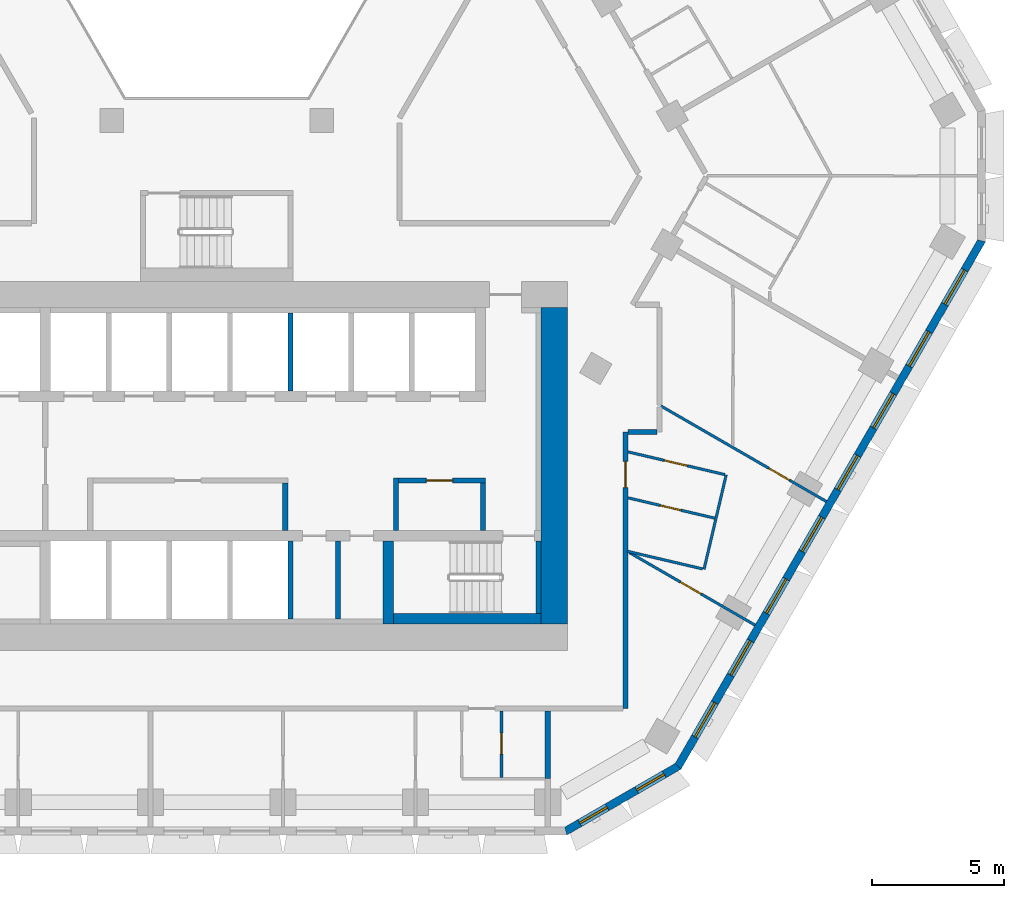
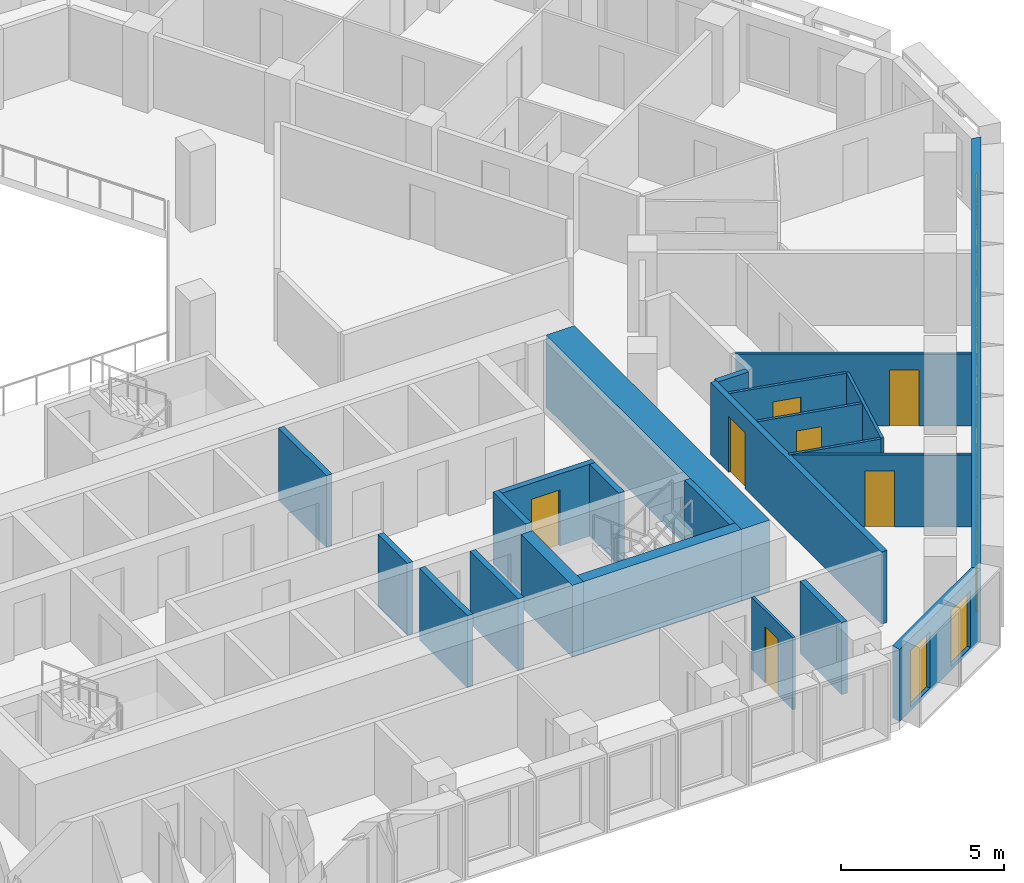
# One storey, part 6 of 18: 23 walls, 10 windows, 7 doors, 17 openings.
"""IFC4 building model written with IfcOpenShell, lengths in metres."""

from ifc_helpers import new_model, si_unit, direction, frame, frame_2d, origin, place, context, subcontext, project, spatial, polyline, rectangle, outline, extrude, material, layer, layer_set, type_object, element, fill, save


model = new_model("IFC4")

# Units and contexts
model_context = context("Model", 3, precision=1e-05, world=origin(), true_north=direction((0.0, 1.0)))
body_context = subcontext(model_context, "Body", "Model", "MODEL_VIEW")
ifc_project = project(units=[si_unit("LENGTHUNIT", "METRE"), si_unit("AREAUNIT", "SQUARE_METRE"), si_unit("VOLUMEUNIT", "CUBIC_METRE"), si_unit("PLANEANGLEUNIT", "RADIAN"), si_unit("MASSUNIT", "GRAM", prefix="KILO")], contexts=[model_context])

# Site, building, storey
site_placement = place(None, origin())
site = spatial("IfcSite", under=ifc_project, at=site_placement, CompositionType="ELEMENT")
building_placement = place(site_placement, origin())
building = spatial("IfcBuilding", under=site, at=building_placement, Name="Beryl Residences", CompositionType="ELEMENT")
storey_placement = place(building_placement, frame((0.0, 0.0, 87.0)))
storey = spatial("IfcBuildingStorey", under=building, at=storey_placement, Name="L26", CompositionType="ELEMENT", Elevation=87.0)

# Wall, openings, windows
ifc_material_1 = material(Name="Composite metal panel with mineral wool insulation")
ifc_layer_1 = layer(ifc_material_1, 0.300048828125)
ifc_layer_set_1 = layer_set([ifc_layer_1], Name="ES1 pale metal composite panel wall 300 mm")
wall_type_1 = type_object("IfcWallType", Name="ES1 pale metal composite panel wall 300 mm", PredefinedType="SOLIDWALL", material=ifc_layer_set_1)
wall_1_placement = place(storey_placement, frame((13.2041015625, -25.8701171875, 0.0), z_axis=(0.0, 0.0, 1.0), x_axis=(0.866010750942, 0.50002537861, 0.0)))
wall_1 = element("IfcWall", 1, at=wall_1_placement, inside=storey, type_object=wall_type_1, Name="ES1 external wall L26 S-SE", PredefinedType="SOLIDWALL", context=body_context, shape_type="SweptSolid", body=[
    extrude(outline(polyline([(0.0, -0.14990234375), (4.999755859375, -0.14990234375), (4.91943359375, 0.14990234375), (0.080322265625, 0.14990234375), (0.0, -0.14990234375)])), origin(), (0.0, 0.0, 1.0), 2.699951171875),
])
opening_1_placement = place(wall_1_placement, frame((0.64990234375, 0.0, 0.14990234375)))
opening_1 = element("IfcOpeningElement", 2, at=opening_1_placement, cuts=wall_1, Name="Opening W2", PredefinedType="OPENING", context=body_context, shape_type="SweptSolid", body=[
    extrude(rectangle(XDim=1.199951171875, YDim=2.10009765625, at=frame_2d((0.60009765625, 1.050048828125))), frame((0.0, 0.159912109375, 0.0), z_axis=(0.0, -1.0, 0.0), x_axis=(1.0, 0.0, 0.0)), (0.0, 0.0, 1.0), 0.320068359375),
])
opening_2_placement = place(wall_1_placement, frame((3.14892578125, 0.0, 0.14990234375)))
opening_2 = element("IfcOpeningElement", 3, at=opening_2_placement, cuts=wall_1, Name="Opening W2", PredefinedType="OPENING", context=body_context, shape_type="SweptSolid", body=[
    extrude(rectangle(XDim=1.199951171875, YDim=2.10009765625, at=frame_2d((0.60009765625, 1.050048828125))), frame((0.0, 0.159912109375, 0.0), z_axis=(0.0, -1.0, 0.0), x_axis=(1.0, 0.0, 0.0)), (0.0, 0.0, 1.0), 0.320068359375),
])
ifc_material_2 = material(Name="Aluminium and clear glass", Category="aluminium")
window_type_1 = type_object("IfcWindowType", Name="W2 chamfer window 1200 x 2100 mm", PartitioningType="SINGLE_PANEL", PredefinedType="WINDOW", material=ifc_material_2)
window_1_placement = place(opening_1_placement, origin())
window_1 = element("IfcWindow", 4, at=window_1_placement, inside=storey, type_object=window_type_1, Name="W2 window L26 S-SE 1", OverallHeight=2.10009765625, OverallWidth=1.199951171875, PartitioningType="SINGLE_PANEL", PredefinedType="WINDOW", context=body_context, shape_type="SweptSolid", body=[
    extrude(rectangle(XDim=1.199951171875, YDim=2.10009765625, at=frame_2d((0.60009765625, 1.050048828125))), frame((0.0, 0.030029296875, 0.0), z_axis=(0.0, -1.0, 0.0), x_axis=(1.0, 0.0, 0.0)), (0.0, 0.0, 1.0), 0.06005859375),
])
fill(opening_1, window_1)
window_2_placement = place(opening_2_placement, origin())
window_2 = element("IfcWindow", 5, at=window_2_placement, inside=storey, type_object=window_type_1, Name="W2 window L26 S-SE 2", OverallHeight=2.10009765625, OverallWidth=1.199951171875, PartitioningType="SINGLE_PANEL", PredefinedType="WINDOW", context=body_context, shape_type="SweptSolid", body=[
    extrude(rectangle(XDim=1.199951171875, YDim=2.10009765625, at=frame_2d((0.60009765625, 1.050048828125))), frame((0.0, 0.030029296875, 0.0), z_axis=(0.0, -1.0, 0.0), x_axis=(1.0, 0.0, 0.0)), (0.0, 0.0, 1.0), 0.06005859375),
])
fill(opening_2, window_2)

wall_2_placement = place(storey_placement, frame((17.47900390625, -23.425048828125, 0.0), z_axis=(0.0, 0.0, 1.0), x_axis=(0.500035407905, 0.866004960056, 0.0)))
wall_2 = element("IfcWall", 6, at=wall_2_placement, inside=storey, type_object=wall_type_1, Name="ES1 external wall L26 SE", PredefinedType="SOLIDWALL", context=body_context, shape_type="SweptSolid", body=[
    extrude(outline(polyline([(0.0, -0.14990234375), (23.094482421875, -0.14990234375), (23.01416015625, 0.14990234375), (0.080322265625, 0.14990234375), (0.0, -0.14990234375)])), origin(), (0.0, 0.0, 1.0), 2.699951171875),
])
opening_3_placement = place(wall_2_placement, frame((1.323974609375, 0.0, 0.14990234375)))
opening_3 = element("IfcOpeningElement", 7, at=opening_3_placement, cuts=wall_2, Name="Opening W1", PredefinedType="OPENING", context=body_context, shape_type="SweptSolid", body=[
    extrude(rectangle(XDim=1.5, YDim=2.10009765625, at=frame_2d((0.75, 1.050048828125))), frame((0.0, 0.159912109375, 0.0), z_axis=(0.0, -1.0, 0.0), x_axis=(1.0, 0.0, 0.0)), (0.0, 0.0, 1.0), 0.320068359375),
])
opening_4_placement = place(wall_2_placement, frame((4.031005859375, 0.0, 0.14990234375)))
opening_4 = element("IfcOpeningElement", 8, at=opening_4_placement, cuts=wall_2, Name="Opening W1", PredefinedType="OPENING", context=body_context, shape_type="SweptSolid", body=[
    extrude(rectangle(XDim=1.5, YDim=2.10009765625, at=frame_2d((0.75, 1.050048828125))), frame((0.0, 0.159912109375, 0.0), z_axis=(0.0, -1.0, 0.0), x_axis=(1.0, 0.0, 0.0)), (0.0, 0.0, 1.0), 0.320068359375),
])
opening_5_placement = place(wall_2_placement, frame((6.737060546875, 0.0, 0.14990234375)))
opening_5 = element("IfcOpeningElement", 9, at=opening_5_placement, cuts=wall_2, Name="Opening W1", PredefinedType="OPENING", context=body_context, shape_type="SweptSolid", body=[
    extrude(rectangle(XDim=1.5, YDim=2.10009765625, at=frame_2d((0.75, 1.050048828125))), frame((0.0, 0.159912109375, 0.0), z_axis=(0.0, -1.0, 0.0), x_axis=(1.0, 0.0, 0.0)), (0.0, 0.0, 1.0), 0.320068359375),
])
opening_6_placement = place(wall_2_placement, frame((9.444091796875, 0.0, 0.14990234375)))
opening_6 = element("IfcOpeningElement", 10, at=opening_6_placement, cuts=wall_2, Name="Opening W1", PredefinedType="OPENING", context=body_context, shape_type="SweptSolid", body=[
    extrude(rectangle(XDim=1.5, YDim=2.10009765625, at=frame_2d((0.75, 1.050048828125))), frame((0.0, 0.159912109375, 0.0), z_axis=(0.0, -1.0, 0.0), x_axis=(1.0, 0.0, 0.0)), (0.0, 0.0, 1.0), 0.320068359375),
])
opening_7_placement = place(wall_2_placement, frame((12.15087890625, 0.0, 0.14990234375)))
opening_7 = element("IfcOpeningElement", 11, at=opening_7_placement, cuts=wall_2, Name="Opening W1", PredefinedType="OPENING", context=body_context, shape_type="SweptSolid", body=[
    extrude(rectangle(XDim=1.5, YDim=2.10009765625, at=frame_2d((0.75, 1.050048828125))), frame((0.0, 0.159912109375, 0.0), z_axis=(0.0, -1.0, 0.0), x_axis=(1.0, 0.0, 0.0)), (0.0, 0.0, 1.0), 0.320068359375),
])
opening_8_placement = place(wall_2_placement, frame((14.85693359375, 0.0, 0.14990234375)))
opening_8 = element("IfcOpeningElement", 12, at=opening_8_placement, cuts=wall_2, Name="Opening W1", PredefinedType="OPENING", context=body_context, shape_type="SweptSolid", body=[
    extrude(rectangle(XDim=1.5, YDim=2.10009765625, at=frame_2d((0.75, 1.050048828125))), frame((0.0, 0.159912109375, 0.0), z_axis=(0.0, -1.0, 0.0), x_axis=(1.0, 0.0, 0.0)), (0.0, 0.0, 1.0), 0.320068359375),
])
opening_9_placement = place(wall_2_placement, frame((17.56396484375, 0.0, 0.14990234375)))
opening_9 = element("IfcOpeningElement", 13, at=opening_9_placement, cuts=wall_2, Name="Opening W1", PredefinedType="OPENING", context=body_context, shape_type="SweptSolid", body=[
    extrude(rectangle(XDim=1.5, YDim=2.10009765625, at=frame_2d((0.75, 1.050048828125))), frame((0.0, 0.159912109375, 0.0), z_axis=(0.0, -1.0, 0.0), x_axis=(1.0, 0.0, 0.0)), (0.0, 0.0, 1.0), 0.320068359375),
])
opening_10_placement = place(wall_2_placement, frame((20.27099609375, 0.0, 0.14990234375)))
opening_10 = element("IfcOpeningElement", 14, at=opening_10_placement, cuts=wall_2, Name="Opening W1", PredefinedType="OPENING", context=body_context, shape_type="SweptSolid", body=[
    extrude(rectangle(XDim=1.5, YDim=2.10009765625, at=frame_2d((0.75, 1.050048828125))), frame((0.0, 0.159912109375, 0.0), z_axis=(0.0, -1.0, 0.0), x_axis=(1.0, 0.0, 0.0)), (0.0, 0.0, 1.0), 0.320068359375),
])
ifc_material_3 = material(Name="Aluminium and clear glass", Category="aluminium")
window_type_2 = type_object("IfcWindowType", Name="W1 cell window 1500 x 2100 mm", PartitioningType="SINGLE_PANEL", PredefinedType="WINDOW", material=ifc_material_3)
window_3_placement = place(opening_3_placement, origin())
window_3 = element("IfcWindow", 15, at=window_3_placement, inside=storey, type_object=window_type_2, Name="W1 window L26 SE 1", OverallHeight=2.10009765625, OverallWidth=1.5, PartitioningType="SINGLE_PANEL", PredefinedType="WINDOW", context=body_context, shape_type="SweptSolid", body=[
    extrude(rectangle(XDim=1.5, YDim=2.10009765625, at=frame_2d((0.75, 1.050048828125))), frame((0.0, 0.030029296875, 0.0), z_axis=(0.0, -1.0, 0.0), x_axis=(1.0, 0.0, 0.0)), (0.0, 0.0, 1.0), 0.06005859375),
])
fill(opening_3, window_3)
window_4_placement = place(opening_4_placement, origin())
window_4 = element("IfcWindow", 16, at=window_4_placement, inside=storey, type_object=window_type_2, Name="W1 window L26 SE 2", OverallHeight=2.10009765625, OverallWidth=1.5, PartitioningType="SINGLE_PANEL", PredefinedType="WINDOW", context=body_context, shape_type="SweptSolid", body=[
    extrude(rectangle(XDim=1.5, YDim=2.10009765625, at=frame_2d((0.75, 1.050048828125))), frame((0.0, 0.030029296875, 0.0), z_axis=(0.0, -1.0, 0.0), x_axis=(1.0, 0.0, 0.0)), (0.0, 0.0, 1.0), 0.06005859375),
])
fill(opening_4, window_4)
window_5_placement = place(opening_5_placement, origin())
window_5 = element("IfcWindow", 17, at=window_5_placement, inside=storey, type_object=window_type_2, Name="W1 window L26 SE 3", OverallHeight=2.10009765625, OverallWidth=1.5, PartitioningType="SINGLE_PANEL", PredefinedType="WINDOW", context=body_context, shape_type="SweptSolid", body=[
    extrude(rectangle(XDim=1.5, YDim=2.10009765625, at=frame_2d((0.75, 1.050048828125))), frame((0.0, 0.030029296875, 0.0), z_axis=(0.0, -1.0, 0.0), x_axis=(1.0, 0.0, 0.0)), (0.0, 0.0, 1.0), 0.06005859375),
])
fill(opening_5, window_5)
window_6_placement = place(opening_6_placement, origin())
window_6 = element("IfcWindow", 18, at=window_6_placement, inside=storey, type_object=window_type_2, Name="W1 window L26 SE 4", OverallHeight=2.10009765625, OverallWidth=1.5, PartitioningType="SINGLE_PANEL", PredefinedType="WINDOW", context=body_context, shape_type="SweptSolid", body=[
    extrude(rectangle(XDim=1.5, YDim=2.10009765625, at=frame_2d((0.75, 1.050048828125))), frame((0.0, 0.030029296875, 0.0), z_axis=(0.0, -1.0, 0.0), x_axis=(1.0, 0.0, 0.0)), (0.0, 0.0, 1.0), 0.06005859375),
])
fill(opening_6, window_6)
window_7_placement = place(opening_7_placement, origin())
window_7 = element("IfcWindow", 19, at=window_7_placement, inside=storey, type_object=window_type_2, Name="W1 window L26 SE 5", OverallHeight=2.10009765625, OverallWidth=1.5, PartitioningType="SINGLE_PANEL", PredefinedType="WINDOW", context=body_context, shape_type="SweptSolid", body=[
    extrude(rectangle(XDim=1.5, YDim=2.10009765625, at=frame_2d((0.75, 1.050048828125))), frame((0.0, 0.030029296875, 0.0), z_axis=(0.0, -1.0, 0.0), x_axis=(1.0, 0.0, 0.0)), (0.0, 0.0, 1.0), 0.06005859375),
])
fill(opening_7, window_7)
window_8_placement = place(opening_8_placement, origin())
window_8 = element("IfcWindow", 20, at=window_8_placement, inside=storey, type_object=window_type_2, Name="W1 window L26 SE 6", OverallHeight=2.10009765625, OverallWidth=1.5, PartitioningType="SINGLE_PANEL", PredefinedType="WINDOW", context=body_context, shape_type="SweptSolid", body=[
    extrude(rectangle(XDim=1.5, YDim=2.10009765625, at=frame_2d((0.75, 1.050048828125))), frame((0.0, 0.030029296875, 0.0), z_axis=(0.0, -1.0, 0.0), x_axis=(1.0, 0.0, 0.0)), (0.0, 0.0, 1.0), 0.06005859375),
])
fill(opening_8, window_8)
window_9_placement = place(opening_9_placement, origin())
window_9 = element("IfcWindow", 21, at=window_9_placement, inside=storey, type_object=window_type_2, Name="W1 window L26 SE 7", OverallHeight=2.10009765625, OverallWidth=1.5, PartitioningType="SINGLE_PANEL", PredefinedType="WINDOW", context=body_context, shape_type="SweptSolid", body=[
    extrude(rectangle(XDim=1.5, YDim=2.10009765625, at=frame_2d((0.75, 1.050048828125))), frame((0.0, 0.030029296875, 0.0), z_axis=(0.0, -1.0, 0.0), x_axis=(1.0, 0.0, 0.0)), (0.0, 0.0, 1.0), 0.06005859375),
])
fill(opening_9, window_9)
window_10_placement = place(opening_10_placement, origin())
window_10 = element("IfcWindow", 22, at=window_10_placement, inside=storey, type_object=window_type_2, Name="W1 window L26 SE 8", OverallHeight=2.10009765625, OverallWidth=1.5, PartitioningType="SINGLE_PANEL", PredefinedType="WINDOW", context=body_context, shape_type="SweptSolid", body=[
    extrude(rectangle(XDim=1.5, YDim=2.10009765625, at=frame_2d((0.75, 1.050048828125))), frame((0.0, 0.030029296875, 0.0), z_axis=(0.0, -1.0, 0.0), x_axis=(1.0, 0.0, 0.0)), (0.0, 0.0, 1.0), 0.06005859375),
])
fill(opening_10, window_10)

# Wall, opening, door
ifc_material_4 = material(Name="Gypsum board partition on steel studs", Category="steel")
ifc_layer_2 = layer(ifc_material_4, 0.10009765625)
ifc_layer_set_2 = layer_set([ifc_layer_2], Name="PT1 partition 100 mm gypsum board on steel studs")
wall_type_2 = type_object("IfcWallType", Name="PT1 partition 100 mm gypsum board on steel studs", PredefinedType="PARTITIONING", material=ifc_layer_set_2)
wall_3_placement = place(storey_placement, frame((15.60009765625, -11.468017578125, 0.0), z_axis=(0.0, 0.0, 1.0), x_axis=(0.973560523801, -0.228429215503, 0.0)))
wall_3 = element("IfcWall", 23, at=wall_3_placement, inside=storey, type_object=wall_type_2, Name="Wall PT1 L26 017", PredefinedType="PARTITIONING", context=body_context, shape_type="SweptSolid", body=[
    extrude(rectangle(XDim=3.76953125, YDim=0.10009765625, at=frame_2d((1.884765625, 0.0))), origin(), (0.0, 0.0, 1.0), 2.699951171875),
])
opening_11_placement = place(wall_3_placement, frame((1.408935546875, 0.0, 0.0)))
opening_11 = element("IfcOpeningElement", 24, at=opening_11_placement, cuts=wall_3, Name="Opening D0639", PredefinedType="OPENING", context=body_context, shape_type="SweptSolid", body=[
    extrude(rectangle(XDim=0.89990234375, YDim=2.10009765625, at=frame_2d((0.449951171875, 1.050048828125))), frame((0.0, 0.06005859375, 0.0), z_axis=(0.0, -1.0, 0.0), x_axis=(1.0, 0.0, 0.0)), (0.0, 0.0, 1.0), 0.1201171875),
])
ifc_material_5 = material(Name="Timber door leaf", Category="wood")
door_type_1 = type_object("IfcDoorType", Name="D2 room door 900 x 2100 mm", OperationType="SINGLE_SWING_LEFT", PredefinedType="DOOR", material=ifc_material_5)
door_1_placement = place(opening_11_placement, origin())
door_1 = element("IfcDoor", 25, at=door_1_placement, inside=storey, type_object=door_type_1, Name="Door D0639 L26 001", OperationType="SINGLE_SWING_LEFT", OverallHeight=2.10009765625, OverallWidth=0.89990234375, PredefinedType="DOOR", context=body_context, shape_type="SweptSolid", body=[
    extrude(rectangle(XDim=0.89990234375, YDim=2.10009765625, at=frame_2d((0.449951171875, 1.050048828125))), frame((0.0, 0.02490234375, 0.0), z_axis=(0.0, -1.0, 0.0), x_axis=(1.0, 0.0, 0.0)), (0.0, 0.0, 1.0), 0.050048828125),
])
fill(opening_11, door_1)

wall_4_placement = place(storey_placement, frame((15.60009765625, -13.2109375, 0.0), z_axis=(0.0, 0.0, 1.0), x_axis=(0.973593440667, -0.228288879032, 0.0)))
wall_4 = element("IfcWall", 26, at=wall_4_placement, inside=storey, type_object=wall_type_2, Name="Wall PT1 L26 018", PredefinedType="PARTITIONING", context=body_context, shape_type="SweptSolid", body=[
    extrude(rectangle(XDim=3.373046875, YDim=0.10009765625, at=frame_2d((1.6865234375, 0.0))), origin(), (0.0, 0.0, 1.0), 2.699951171875),
])
opening_12_placement = place(wall_4_placement, frame((1.260009765625, 0.0, 0.0)))
opening_12 = element("IfcOpeningElement", 27, at=opening_12_placement, cuts=wall_4, Name="Opening D0640", PredefinedType="OPENING", context=body_context, shape_type="SweptSolid", body=[
    extrude(rectangle(XDim=0.800048828125, YDim=2.10009765625, at=frame_2d((0.39990234375, 1.050048828125))), frame((0.0, 0.06005859375, 0.0), z_axis=(0.0, -1.0, 0.0), x_axis=(1.0, 0.0, 0.0)), (0.0, 0.0, 1.0), 0.1201171875),
])
ifc_material_6 = material(Name="Timber door leaf", Category="wood")
door_type_2 = type_object("IfcDoorType", Name="D3 bathroom door 800 x 2100 mm", OperationType="SINGLE_SWING_LEFT", PredefinedType="DOOR", material=ifc_material_6)
door_2_placement = place(opening_12_placement, origin())
door_2 = element("IfcDoor", 28, at=door_2_placement, inside=storey, type_object=door_type_2, Name="Door D0640 L26 001", OperationType="SINGLE_SWING_RIGHT", OverallHeight=2.10009765625, OverallWidth=0.800048828125, PredefinedType="DOOR", context=body_context, shape_type="SweptSolid", body=[
    extrude(rectangle(XDim=0.800048828125, YDim=2.10009765625, at=frame_2d((0.39990234375, 1.050048828125))), frame((0.0, 0.02490234375, 0.0), z_axis=(0.0, -1.0, 0.0), x_axis=(1.0, 0.0, 0.0)), (0.0, 0.0, 1.0), 0.050048828125),
])
fill(opening_12, door_2)

# Wall
wall_5_placement = place(storey_placement, frame((15.56005859375, -15.23388671875, 0.0), z_axis=(0.0, 0.0, 1.0), x_axis=(0.973598200068, -0.228268580457, 0.0)))
element("IfcWall", 29, at=wall_5_placement, inside=storey, type_object=wall_type_2, Name="Wall PT1 L26 019", PredefinedType="PARTITIONING", context=body_context, shape_type="SweptSolid", body=[
    extrude(rectangle(XDim=2.94873046875, YDim=0.10009765625, at=frame_2d((1.474365234375, 0.0))), origin(), (0.0, 0.0, 1.0), 2.699951171875),
])

# Wall, opening, door
wall_6_placement = place(storey_placement, frame((15.64306640625, -15.281982421875, 0.0), z_axis=(0.0, 0.0, 1.0), x_axis=(0.865990833325, -0.500059873013, 0.0)))
wall_6 = element("IfcWall", 30, at=wall_6_placement, inside=storey, type_object=wall_type_2, Name="Wall PT1 L26 023", PredefinedType="PARTITIONING", context=body_context, shape_type="SweptSolid", body=[
    extrude(rectangle(XDim=5.511474609375, YDim=0.10009765625, at=frame_2d((2.755859375, 0.0))), origin(), (0.0, 0.0, 1.0), 2.699951171875),
])
opening_13_placement = place(wall_6_placement, frame((2.248046875, 0.0, 0.0)))
opening_13 = element("IfcOpeningElement", 31, at=opening_13_placement, cuts=wall_6, Name="Opening D0641", PredefinedType="OPENING", context=body_context, shape_type="SweptSolid", body=[
    extrude(rectangle(XDim=0.89990234375, YDim=2.10009765625, at=frame_2d((0.449951171875, 1.050048828125))), frame((0.0, 0.06005859375, 0.0), z_axis=(0.0, -1.0, 0.0), x_axis=(1.0, 0.0, 0.0)), (0.0, 0.0, 1.0), 0.1201171875),
])
door_3_placement = place(opening_13_placement, origin())
door_3 = element("IfcDoor", 32, at=door_3_placement, inside=storey, type_object=door_type_1, Name="Door D0641 L26 001", OperationType="SINGLE_SWING_LEFT", OverallHeight=2.10009765625, OverallWidth=0.89990234375, PredefinedType="DOOR", context=body_context, shape_type="SweptSolid", body=[
    extrude(rectangle(XDim=0.89990234375, YDim=2.10009765625, at=frame_2d((0.449951171875, 1.050048828125))), frame((0.0, 0.02490234375, 0.0), z_axis=(0.0, -1.0, 0.0), x_axis=(1.0, 0.0, 0.0)), (0.0, 0.0, 1.0), 0.050048828125),
])
fill(opening_13, door_3)

wall_7_placement = place(storey_placement, frame((16.85107421875, -9.72900390625, 0.0), z_axis=(0.0, 0.0, 1.0), x_axis=(0.866027278279, -0.499996753267, 0.0)))
wall_7 = element("IfcWall", 33, at=wall_7_placement, inside=storey, type_object=wall_type_2, Name="Wall PT1 L26 026", PredefinedType="PARTITIONING", context=body_context, shape_type="SweptSolid", body=[
    extrude(rectangle(XDim=7.2421875, YDim=0.10009765625, at=frame_2d((3.62109375, 0.0))), origin(), (0.0, 0.0, 1.0), 2.699951171875),
])
opening_14_placement = place(wall_7_placement, frame((4.72802734375, 0.0, 0.0)))
opening_14 = element("IfcOpeningElement", 34, at=opening_14_placement, cuts=wall_7, Name="Opening D0642", PredefinedType="OPENING", context=body_context, shape_type="SweptSolid", body=[
    extrude(rectangle(XDim=0.89990234375, YDim=2.10009765625, at=frame_2d((0.449951171875, 1.050048828125))), frame((0.0, 0.06005859375, 0.0), z_axis=(0.0, -1.0, 0.0), x_axis=(1.0, 0.0, 0.0)), (0.0, 0.0, 1.0), 0.1201171875),
])
door_4_placement = place(opening_14_placement, origin())
door_4 = element("IfcDoor", 35, at=door_4_placement, inside=storey, type_object=door_type_1, Name="Door D0642 L26 001", OperationType="SINGLE_SWING_RIGHT", OverallHeight=2.10009765625, OverallWidth=0.89990234375, PredefinedType="DOOR", context=body_context, shape_type="SweptSolid", body=[
    extrude(rectangle(XDim=0.89990234375, YDim=2.10009765625, at=frame_2d((0.449951171875, 1.050048828125))), frame((0.0, 0.02490234375, 0.0), z_axis=(0.0, -1.0, 0.0), x_axis=(1.0, 0.0, 0.0)), (0.0, 0.0, 1.0), 0.050048828125),
])
fill(opening_14, door_4)

# Wall
wall_8_placement = place(storey_placement, frame((18.48095703125, -15.91796875, 0.0), z_axis=(0.0, 0.0, 1.0), x_axis=(0.228391116115, 0.97356946238, 0.0)))
element("IfcWall", 36, at=wall_8_placement, inside=storey, type_object=wall_type_2, Name="Wall PT1 L26 048", PredefinedType="PARTITIONING", context=body_context, shape_type="SweptSolid", body=[
    extrude(rectangle(XDim=3.674072265625, YDim=0.10009765625, at=frame_2d((1.8369140625, 0.0))), origin(), (0.0, 0.0, 1.0), 2.699951171875),
])

# Wall, opening, door
wall_9_placement = place(storey_placement, frame((10.800048828125, -23.81005859375, 0.0), z_axis=(0.0, 0.0, 1.0), x_axis=(0.0, 1.0, 0.0)))
wall_9 = element("IfcWall", 37, at=wall_9_placement, inside=storey, type_object=wall_type_2, Name="Wall PT1 L26 057", PredefinedType="PARTITIONING", context=body_context, shape_type="SweptSolid", body=[
    extrude(rectangle(XDim=2.510009765625, YDim=0.10009765625, at=frame_2d((1.2548828125, 0.0))), origin(), (0.0, 0.0, 1.0), 2.699951171875),
])
opening_15_placement = place(wall_9_placement, frame((0.8798828125, 0.0, 0.0)))
opening_15 = element("IfcOpeningElement", 38, at=opening_15_placement, cuts=wall_9, Name="Opening D0635", PredefinedType="OPENING", context=body_context, shape_type="SweptSolid", body=[
    extrude(rectangle(XDim=0.800048828125, YDim=2.10009765625, at=frame_2d((0.39990234375, 1.050048828125))), frame((0.0, 0.06005859375, 0.0), z_axis=(0.0, -1.0, 0.0), x_axis=(1.0, 0.0, 0.0)), (0.0, 0.0, 1.0), 0.1201171875),
])
door_5_placement = place(opening_15_placement, origin())
door_5 = element("IfcDoor", 39, at=door_5_placement, inside=storey, type_object=door_type_2, Name="Door D0635 L26 001", OperationType="SINGLE_SWING_LEFT", OverallHeight=2.10009765625, OverallWidth=0.800048828125, PredefinedType="DOOR", context=body_context, shape_type="SweptSolid", body=[
    extrude(rectangle(XDim=0.800048828125, YDim=2.10009765625, at=frame_2d((0.39990234375, 1.050048828125))), frame((0.0, 0.02490234375, 0.0), z_axis=(0.0, -1.0, 0.0), x_axis=(1.0, 0.0, 0.0)), (0.0, 0.0, 1.0), 0.050048828125),
])
fill(opening_15, door_5)

# Walls
ifc_material_7 = material(Name="Concrete masonry", Category="masonry")
ifc_layer_3 = layer(ifc_material_7, 0.199951171875)
ifc_layer_set_3 = layer_set([ifc_layer_3], Name="PT13 lobby wall 200 mm")
wall_type_3 = type_object("IfcWallType", Name="PT13 lobby wall 200 mm", PredefinedType="PARTITIONING", material=ifc_layer_set_3)
wall_10_placement = place(storey_placement, frame((2.60009765625, -14.449951171875, 0.0), z_axis=(0.0, 0.0, 1.0), x_axis=(0.0, 1.0, 0.0)))
element("IfcWall", 40, at=wall_10_placement, inside=storey, type_object=wall_type_3, Name="Lobby wall 22", PredefinedType="PARTITIONING", context=body_context, shape_type="SweptSolid", body=[
    extrude(rectangle(XDim=1.800048828125, YDim=0.199951171875, at=frame_2d((0.89990234375, 0.0))), origin(), (0.0, 0.0, 1.0), 2.699951171875),
])
wall_11_placement = place(storey_placement, frame((6.800048828125, -14.449951171875, 0.0), z_axis=(0.0, 0.0, 1.0), x_axis=(0.0, 1.0, 0.0)))
element("IfcWall", 41, at=wall_11_placement, inside=storey, type_object=wall_type_3, Name="Lobby wall 28", PredefinedType="PARTITIONING", context=body_context, shape_type="SweptSolid", body=[
    extrude(rectangle(XDim=2.0, YDim=0.199951171875, at=frame_2d((1.0, 0.0))), origin(), (0.0, 0.0, 1.0), 2.699951171875),
])

# Wall, opening, door
wall_12_placement = place(storey_placement, frame((6.89990234375, -12.550048828125, 0.0), z_axis=(0.0, 0.0, 1.0), x_axis=(1.0, 0.0, 0.0)))
wall_12 = element("IfcWall", 42, at=wall_12_placement, inside=storey, type_object=wall_type_3, Name="Lobby wall 29", PredefinedType="PARTITIONING", context=body_context, shape_type="SweptSolid", body=[
    extrude(rectangle(XDim=3.300048828125, YDim=0.199951171875, at=frame_2d((1.64990234375, 0.0))), origin(), (0.0, 0.0, 1.0), 2.699951171875),
])
opening_16_placement = place(wall_12_placement, frame((2.050048828125, 0.0, 0.0), z_axis=(0.0, 0.0, 1.0), x_axis=(-1.0, 0.0, 0.0)))
opening_16 = element("IfcOpeningElement", 43, at=opening_16_placement, cuts=wall_12, Name="Opening CD-D-A2", PredefinedType="OPENING", context=body_context, shape_type="SweptSolid", body=[
    extrude(rectangle(XDim=1.0, YDim=2.10009765625, at=frame_2d((0.5, 1.050048828125))), frame((0.0, 0.10986328125, 0.0), z_axis=(0.0, -1.0, 0.0), x_axis=(1.0, 0.0, 0.0)), (0.0, 0.0, 1.0), 0.219970703125),
])
ifc_material_8 = material(Name="Steel door leaf in steel frame", Category="steel")
door_type_3 = type_object("IfcDoorType", Name="D18 service room door 1000 x 2100 mm", OperationType="SINGLE_SWING_LEFT", PredefinedType="DOOR", material=ifc_material_8)
door_6_placement = place(opening_16_placement, origin())
door_6 = element("IfcDoor", 44, at=door_6_placement, inside=storey, type_object=door_type_3, Name="Door CD-D-A2 L26 001", OperationType="SINGLE_SWING_LEFT", OverallHeight=2.10009765625, OverallWidth=1.0, PredefinedType="DOOR", context=body_context, shape_type="SweptSolid", body=[
    extrude(rectangle(XDim=1.0, YDim=2.10009765625, at=frame_2d((0.5, 1.050048828125))), frame((0.0, 0.02490234375, 0.0), z_axis=(0.0, -1.0, 0.0), x_axis=(1.0, 0.0, 0.0)), (0.0, 0.0, 1.0), 0.050048828125),
])
fill(opening_16, door_6)

# Walls
wall_13_placement = place(storey_placement, frame((10.10009765625, -14.449951171875, 0.0), z_axis=(0.0, 0.0, 1.0), x_axis=(0.0, 1.0, 0.0)))
element("IfcWall", 45, at=wall_13_placement, inside=storey, type_object=wall_type_3, Name="Lobby wall 31", PredefinedType="PARTITIONING", context=body_context, shape_type="SweptSolid", body=[
    extrude(rectangle(XDim=1.800048828125, YDim=0.199951171875, at=frame_2d((0.89990234375, 0.0))), origin(), (0.0, 0.0, 1.0), 2.699951171875),
])
ifc_material_9 = material(Name="Acoustic double stud gypsum board wall")
ifc_layer_4 = layer(ifc_material_9, 0.199951171875)
ifc_layer_set_4 = layer_set([ifc_layer_4], Name="PT3 party wall 200 mm acoustic double stud")
wall_type_4 = type_object("IfcWallType", Name="PT3 party wall 200 mm acoustic double stud", PredefinedType="PARTITIONING", material=ifc_layer_set_4)
wall_14_placement = place(storey_placement, frame((12.55810546875, -23.860107421875, 0.0), z_axis=(0.0, 0.0, 1.0), x_axis=(0.0, 1.0, 0.0)))
element("IfcWall", 46, at=wall_14_placement, inside=storey, type_object=wall_type_4, Name="Wall PT3 L26 005", PredefinedType="PARTITIONING", context=body_context, shape_type="SweptSolid", body=[
    extrude(rectangle(XDim=2.56005859375, YDim=0.199951171875, at=frame_2d((1.280029296875, 0.0))), origin(), (0.0, 0.0, 1.0), 2.699951171875),
])
ifc_material_10 = material(Name="Double stud gypsum board wall")
ifc_layer_5 = layer(ifc_material_10, 0.199951171875)
ifc_layer_set_5 = layer_set([ifc_layer_5], Name="PT4 corridor wall 200 mm double stud")
wall_type_5 = type_object("IfcWallType", Name="PT4 corridor wall 200 mm double stud", PredefinedType="PARTITIONING", material=ifc_layer_set_5)
wall_15_placement = place(storey_placement, frame((15.60107421875, -10.715087890625, 0.0), z_axis=(0.0, 0.0, 1.0), x_axis=(1.0, 0.0, 0.0)))
element("IfcWall", 47, at=wall_15_placement, inside=storey, type_object=wall_type_5, Name="Wall PT4 L26 014", PredefinedType="PARTITIONING", context=body_context, shape_type="SweptSolid", body=[
    extrude(rectangle(XDim=1.0888671875, YDim=0.199951171875, at=frame_2d((0.54443359375, 0.0))), origin(), (0.0, 0.0, 1.0), 2.699951171875),
])

# Wall, opening, door
wall_16_placement = place(storey_placement, frame((15.5, -21.198974609375, 0.0), z_axis=(0.0, 0.0, 1.0), x_axis=(0.0, 1.0, 0.0)))
wall_16 = element("IfcWall", 48, at=wall_16_placement, inside=storey, type_object=wall_type_5, Name="Wall PT4 L26 029", PredefinedType="PARTITIONING", context=body_context, shape_type="SweptSolid", body=[
    extrude(rectangle(XDim=10.48291015625, YDim=0.199951171875, at=frame_2d((5.241455078125, 0.0))), origin(), (0.0, 0.0, 1.0), 2.699951171875),
])
opening_17_placement = place(wall_16_placement, frame((8.3759765625, 0.0, 0.0)))
opening_17 = element("IfcOpeningElement", 49, at=opening_17_placement, cuts=wall_16, Name="Opening D0638", PredefinedType="OPENING", context=body_context, shape_type="SweptSolid", body=[
    extrude(rectangle(XDim=1.0, YDim=2.10009765625, at=frame_2d((0.5, 1.050048828125))), frame((0.0, 0.10986328125, 0.0), z_axis=(0.0, -1.0, 0.0), x_axis=(1.0, 0.0, 0.0)), (0.0, 0.0, 1.0), 0.219970703125),
])
ifc_material_11 = material(Name="Timber door leaf", Category="wood")
door_type_4 = type_object("IfcDoorType", Name="D1 flat entrance door 1000 x 2100 mm", OperationType="SINGLE_SWING_LEFT", PredefinedType="DOOR", material=ifc_material_11)
door_7_placement = place(opening_17_placement, origin())
door_7 = element("IfcDoor", 50, at=door_7_placement, inside=storey, type_object=door_type_4, Name="Door D0638 L26 001", OperationType="SINGLE_SWING_RIGHT", OverallHeight=2.10009765625, OverallWidth=1.0, PredefinedType="DOOR", context=body_context, shape_type="SweptSolid", body=[
    extrude(rectangle(XDim=1.0, YDim=2.10009765625, at=frame_2d((0.5, 1.050048828125))), frame((0.0, 0.02490234375, 0.0), z_axis=(0.0, -1.0, 0.0), x_axis=(1.0, 0.0, 0.0)), (0.0, 0.0, 1.0), 0.050048828125),
])
fill(opening_17, door_7)

# Walls
ifc_material_12 = material(Name="Concrete C40/50", Category="concrete")
ifc_layer_6 = layer(ifc_material_12, 0.199951171875)
ifc_layer_set_6 = layer_set([ifc_layer_6], Name="PT5 stair enclosure wall 200 mm reinforced concrete C40/50")
wall_type_6 = type_object("IfcWallType", Name="PT5 stair enclosure wall 200 mm reinforced concrete C40/50", PredefinedType="SOLIDWALL", material=ifc_layer_set_6)
wall_17_placement = place(storey_placement, frame((12.199951171875, -17.60009765625, 0.0), z_axis=(0.0, 0.0, 1.0), x_axis=(0.0, 1.0, 0.0)))
element("IfcWall", 51, at=wall_17_placement, inside=storey, type_object=wall_type_6, Name="Stair wall 33", PredefinedType="SOLIDWALL", context=body_context, shape_type="SweptSolid", body=[
    extrude(rectangle(XDim=2.75, YDim=0.199951171875, at=frame_2d((1.375, 0.0))), origin(), (0.0, 0.0, 1.0), 2.699951171875),
])
ifc_material_13 = material(Name="Concrete C40/50", Category="concrete")
ifc_layer_7 = layer(ifc_material_13, 0.39990234375)
ifc_layer_set_7 = layer_set([ifc_layer_7], Name="PT5-400 stair enclosure wall 400 mm")
wall_type_7 = type_object("IfcWallType", Name="PT5-400 stair enclosure wall 400 mm", PredefinedType="SOLIDWALL", material=ifc_layer_set_7)
wall_18_placement = place(storey_placement, frame((6.699951171875, -17.800048828125, 0.0), z_axis=(0.0, 0.0, 1.0), x_axis=(1.0, 0.0, 0.0)))
element("IfcWall", 52, at=wall_18_placement, inside=storey, type_object=wall_type_7, Name="Stair wall 27", PredefinedType="SOLIDWALL", context=body_context, shape_type="SweptSolid", body=[
    extrude(rectangle(XDim=5.60009765625, YDim=0.39990234375, at=frame_2d((2.800048828125, 0.0))), origin(), (0.0, 0.0, 1.0), 2.699951171875),
])
ifc_material_14 = material(Name="Concrete C40/50", Category="concrete")
ifc_layer_8 = layer(ifc_material_14, 0.199951171875)
ifc_layer_set_8 = layer_set([ifc_layer_8], Name="PT6 lift shaft wall 200 mm reinforced concrete C40/50")
wall_type_8 = type_object("IfcWallType", Name="PT6 lift shaft wall 200 mm reinforced concrete C40/50", PredefinedType="SOLIDWALL", material=ifc_layer_set_8)
for number, where, z_axis, x_axis, name in (
    (53, (2.800048828125, -17.800048828125, 0.0), (0.0, 0.0, 1.0), (0.0, 1.0, 0.0), "Lift shaft wall 23"),
    (54, (2.800048828125, -9.14990234375, 0.0), (0.0, 0.0, 1.0), (0.0, 1.0, 0.0), "Lift shaft wall 24"),
):
    element("IfcWall", number, at=place(storey_placement, frame(where, z_axis=z_axis, x_axis=x_axis)), inside=storey, type_object=wall_type_8, Name=name, PredefinedType="SOLIDWALL", context=body_context, shape_type="SweptSolid", body=[
        extrude(rectangle(XDim=2.949951171875, YDim=0.199951171875, at=frame_2d((1.47509765625, 0.0))), origin(), (0.0, 0.0, 1.0), 2.699951171875),
    ])
ifc_material_15 = material(Name="Concrete masonry", Category="masonry")
ifc_layer_9 = layer(ifc_material_15, 0.199951171875)
ifc_layer_set_9 = layer_set([ifc_layer_9], Name="PT8-200 service room wall 200 mm")
wall_type_9 = type_object("IfcWallType", Name="PT8-200 service room wall 200 mm", PredefinedType="PARTITIONING", material=ifc_layer_set_9)
wall_19_placement = place(storey_placement, frame((4.60009765625, -17.800048828125, 0.0), z_axis=(0.0, 0.0, 1.0), x_axis=(0.0, 1.0, 0.0)))
element("IfcWall", 55, at=wall_19_placement, inside=storey, type_object=wall_type_9, Name="Core room wall 25", PredefinedType="PARTITIONING", context=body_context, shape_type="SweptSolid", body=[
    extrude(rectangle(XDim=2.949951171875, YDim=0.199951171875, at=frame_2d((1.47509765625, 0.0))), origin(), (0.0, 0.0, 1.0), 2.699951171875),
])
ifc_material_16 = material(Name="Concrete C70/85", Category="concrete")
ifc_layer_10 = layer(ifc_material_16, 1.0)
ifc_layer_set_10 = layer_set([ifc_layer_10], Name="SW2 core outer wall 1000 mm C70/85")
wall_type_10 = type_object("IfcWallType", Name="SW2 core outer wall 1000 mm C70/85", PredefinedType="SHEAR", material=ifc_layer_set_10)
wall_20_placement = place(storey_placement, frame((12.800048828125, -18.0, 0.0), z_axis=(0.0, 0.0, 1.0), x_axis=(0.0, 1.0, 0.0)))
element("IfcWall", 56, at=wall_20_placement, inside=storey, type_object=wall_type_10, Name="Core wall E L26", PredefinedType="SHEAR", context=body_context, shape_type="SweptSolid", body=[
    extrude(rectangle(XDim=12.0, YDim=1.0, at=frame_2d((6.0, 0.0))), origin(), (0.0, 0.0, 1.0), 2.699951171875),
])
ifc_material_17 = material(Name="Concrete C70/85", Category="concrete")
ifc_layer_11 = layer(ifc_material_17, 0.39990234375)
ifc_layer_set_11 = layer_set([ifc_layer_11], Name="SW7 core internal wall 400 mm C70/85")
wall_type_11 = type_object("IfcWallType", Name="SW7 core internal wall 400 mm C70/85", PredefinedType="SHEAR", material=ifc_layer_set_11)
wall_21_placement = place(storey_placement, frame((6.5, -18.0, 0.0), z_axis=(0.0, 0.0, 1.0), x_axis=(0.0, 1.0, 0.0)))
element("IfcWall", 57, at=wall_21_placement, inside=storey, type_object=wall_type_11, Name="Core wall XS2 L26", PredefinedType="SHEAR", context=body_context, shape_type="SweptSolid", body=[
    extrude(rectangle(XDim=3.14990234375, YDim=0.39990234375, at=frame_2d((1.574951171875, 0.0))), origin(), (0.0, 0.0, 1.0), 2.699951171875),
])

save(model, "model.ifc")
